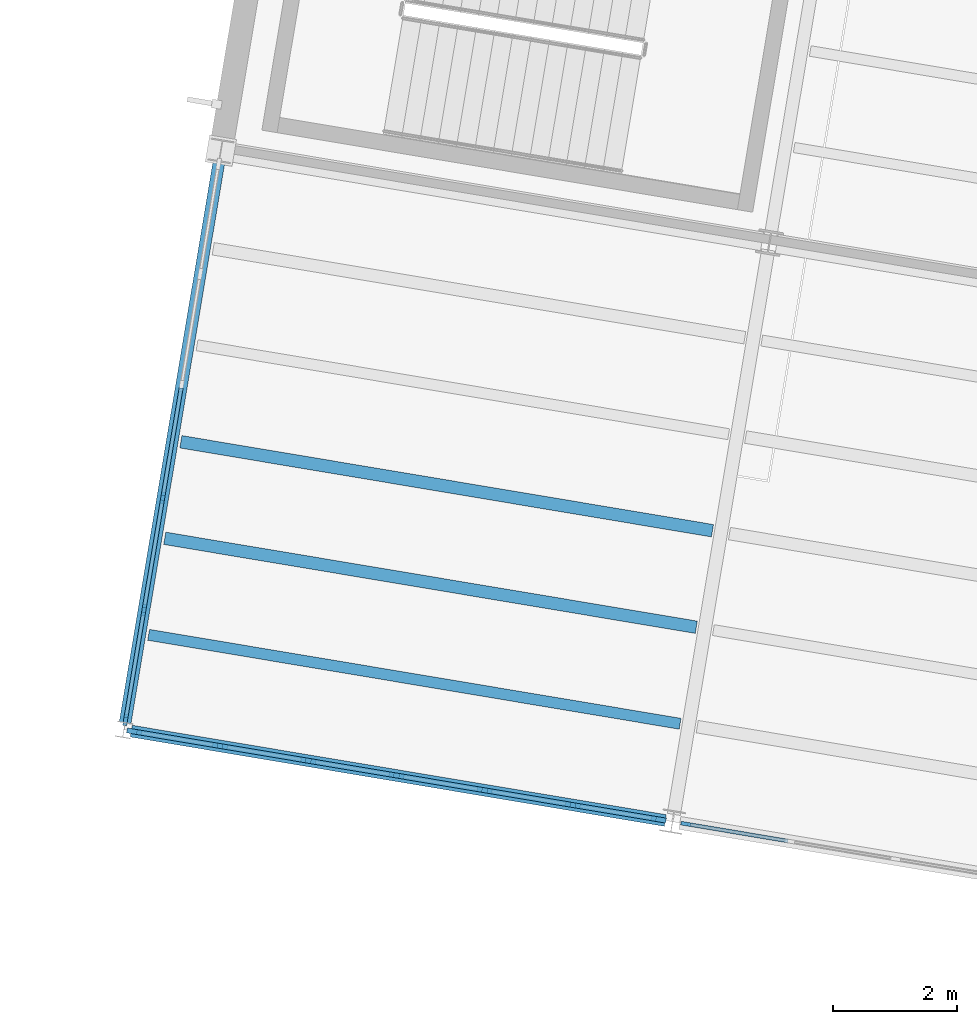
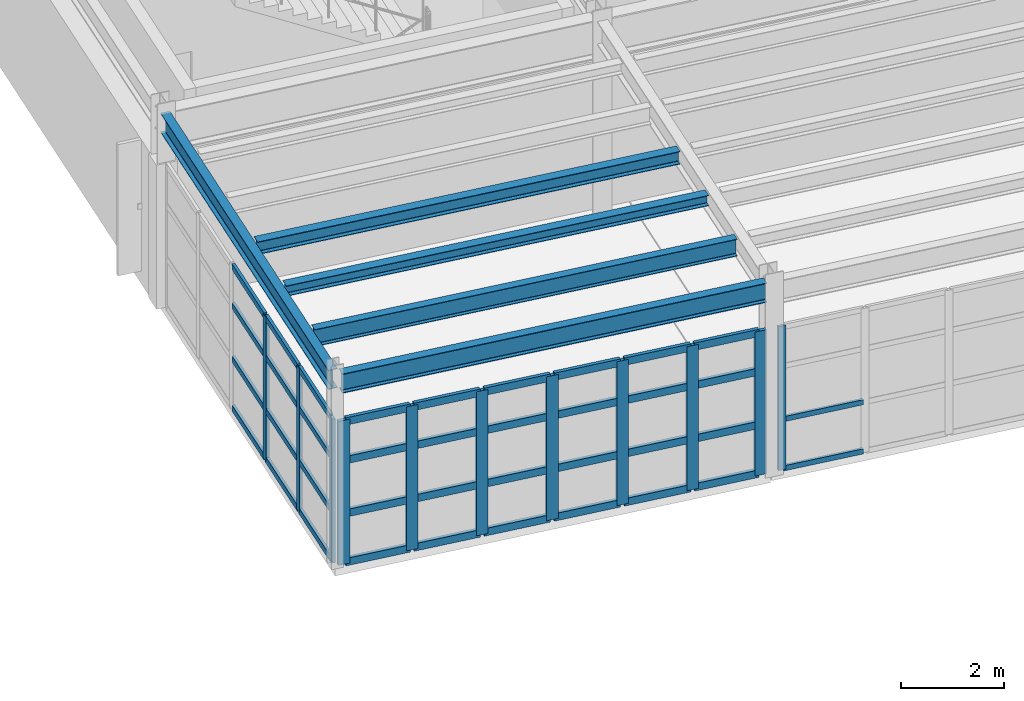
# One storey, part 39 of 109: 49 members, 5 beams, 3 elements without a shape of their own.
"""IFC4 building model written with IfcOpenShell, lengths in metres."""

from ifc_helpers import new_model, si_unit, direction, frame, origin, origin_2d, place, context, subcontext, project, spatial, rectangle, i_section, extrude, material, layer, layer_set, material_profile, profile_set, type_object, element, aggregate, save


model = new_model("IFC4")

# Units and contexts
model_context = context("Model", 3, precision=1e-05, world=origin(), true_north=direction((0.0, 1.0)))
body_context = subcontext(model_context, "Body", "Model", "MODEL_VIEW")
ifc_project = project(units=[si_unit("LENGTHUNIT", "METRE"), si_unit("AREAUNIT", "SQUARE_METRE"), si_unit("VOLUMEUNIT", "CUBIC_METRE"), si_unit("PLANEANGLEUNIT", "RADIAN"), si_unit("MASSUNIT", "GRAM", prefix="KILO")], contexts=[model_context])

# Site, building, storey
site_placement = place(None, origin())
site = spatial("IfcSite", under=ifc_project, at=site_placement, CompositionType="ELEMENT")
building_placement = place(site_placement, origin())
building = spatial("IfcBuilding", under=site, at=building_placement, Name="Vireo Bluff Cable Station", CompositionType="ELEMENT")
storey_placement = place(building_placement, frame((0.0, 0.0, 4.800048828125)))
storey = spatial("IfcBuildingStorey", under=building, at=storey_placement, Name="L01", CompositionType="ELEMENT", Elevation=4.800048828125)

# Curtain wall, members
ifc_material_1 = material(Name="Anodized Aluminium 6063-T6", Category="aluminium")
ifc_layer_1 = layer(ifc_material_1, 0.159912109375, Name="Anodized Aluminium 6063-T6")
ifc_layer_set_1 = layer_set([ifc_layer_1], Name="Anodized Aluminium 6063-T6")
curtain_wall_type_1 = type_object("IfcCurtainWallType", Name="CW-STICK-1750", PredefinedType="USERDEFINED", material=ifc_layer_set_1)
curtain_wall_1_placement = place(storey_placement, origin())
curtain_wall_1 = element("IfcCurtainWall", 1, at=curtain_wall_1_placement, inside=storey, type_object=curtain_wall_type_1, Name="V4 L01 west curtain wall CW-088", ObjectType="STICK CURTAIN WALL", PredefinedType="USERDEFINED")
ifc_material_profile_1 = material_profile(ifc_material_1, rectangle(XDim=0.06494140625, YDim=0.179931640625, at=origin_2d()), Name="ALU-M-65X180")
ifc_profile_set_1 = profile_set([ifc_material_profile_1], Name="Anodized Aluminium 6063-T6")
member_type_1 = type_object("IfcMemberType", Name="CWM-01", PredefinedType="MULLION", material=ifc_profile_set_1)
member_1_placement = place(storey_placement, frame((5.52685546875, 71.66015625, 0.0), z_axis=(0.0, 0.0, 1.0), x_axis=(-0.986285590637, 0.165047670998, 0.0)))
member_1 = element("IfcMember", 2, at=member_1_placement, type_object=member_type_1, Name="CW-088 mullion 1", PredefinedType="MULLION", context=body_context, shape_type="SweptSolid", body=[
    extrude(rectangle(XDim=0.06494140625, YDim=0.179931640625, at=origin_2d()), origin(), (0.0, 0.0, 1.0), 3.39990234375),
])
member_2_placement = place(storey_placement, frame((5.82470703125, 73.440673828125, 0.0), z_axis=(0.0, 0.0, 1.0), x_axis=(-0.986285590637, 0.165047670998, 0.0)))
member_2 = element("IfcMember", 3, at=member_2_placement, type_object=member_type_1, Name="CW-088 mullion 2", PredefinedType="MULLION", context=body_context, shape_type="SweptSolid", body=[
    extrude(rectangle(XDim=0.06494140625, YDim=0.179931640625, at=origin_2d()), origin(), (0.0, 0.0, 1.0), 3.39990234375),
])
member_3_placement = place(storey_placement, frame((6.1279296875, 75.2529296875, 0.0), z_axis=(0.0, 0.0, 1.0), x_axis=(-0.986285590637, 0.165047670998, 0.0)))
member_3 = element("IfcMember", 4, at=member_3_placement, type_object=member_type_1, Name="CW-088 mullion 3", PredefinedType="MULLION", context=body_context, shape_type="SweptSolid", body=[
    extrude(rectangle(XDim=0.06494140625, YDim=0.179931640625, at=origin_2d()), origin(), (0.0, 0.0, 1.0), 3.39990234375),
])

# Curtain wall, member
ifc_layer_2 = layer(ifc_material_1, 0.179931640625, Name="Anodized Aluminium 6063-T6")
ifc_layer_set_2 = layer_set([ifc_layer_2], Name="Anodized Aluminium 6063-T6")
curtain_wall_type_2 = type_object("IfcCurtainWallType", Name="CW-UNIT-1650", PredefinedType="USERDEFINED", material=ifc_layer_set_2)
curtain_wall_2_placement = place(storey_placement, origin())
curtain_wall_2 = element("IfcCurtainWall", 5, at=curtain_wall_2_placement, inside=storey, type_object=curtain_wall_type_2, Name="V4 L01 south curtain wall CW-086", ObjectType="UNITISED CURTAIN WALL", PredefinedType="USERDEFINED")
ifc_material_profile_2 = material_profile(ifc_material_1, rectangle(XDim=0.06005859375, YDim=0.159912109375, at=origin_2d()), Name="ALU-M-60X160")
ifc_profile_set_2 = profile_set([ifc_material_profile_2], Name="Anodized Aluminium 6063-T6")
member_type_2 = type_object("IfcMemberType", Name="CWM-03", PredefinedType="MULLION", material=ifc_profile_set_2)
member_4_placement = place(storey_placement, frame((14.590576171875, 69.978759765625, 0.0), z_axis=(0.0, 0.0, 1.0), x_axis=(-0.165047619064, -0.986285599328, 0.0)))
member_4 = element("IfcMember", 6, at=member_4_placement, type_object=member_type_2, Name="CW-086 mullion 6", PredefinedType="MULLION", context=body_context, shape_type="SweptSolid", body=[
    extrude(rectangle(XDim=0.06005859375, YDim=0.159912109375, at=origin_2d()), origin(), (0.0, 0.0, 1.0), 3.39990234375),
])

# Curtain wall, members
ifc_layer_3 = layer(ifc_material_1, 0.179931640625, Name="Anodized Aluminium 6063-T6")
ifc_layer_set_3 = layer_set([ifc_layer_3], Name="Anodized Aluminium 6063-T6")
curtain_wall_type_3 = type_object("IfcCurtainWallType", Name="CW-UNIT-1400", PredefinedType="USERDEFINED", material=ifc_layer_set_3)
curtain_wall_3_placement = place(storey_placement, origin())
curtain_wall_3 = element("IfcCurtainWall", 7, at=curtain_wall_3_placement, inside=storey, type_object=curtain_wall_type_3, Name="V4 L01 south curtain wall CW-087", ObjectType="UNITISED CURTAIN WALL", PredefinedType="USERDEFINED")
ifc_material_profile_3 = material_profile(ifc_material_1, rectangle(XDim=0.080078125, YDim=0.239990234375, at=origin_2d()), Name="ALU-M-80X240")
ifc_profile_set_3 = profile_set([ifc_material_profile_3], Name="Anodized Aluminium 6063-T6")
member_type_3 = type_object("IfcMemberType", Name="CWM-04", PredefinedType="MULLION", material=ifc_profile_set_3)
member_5_placement = place(storey_placement, frame((14.152587890625, 70.052001953125, 0.0), z_axis=(0.0, 0.0, 1.0), x_axis=(-0.165047619081, -0.986285599325, 0.0)))
member_5 = element("IfcMember", 8, at=member_5_placement, type_object=member_type_3, Name="CW-087 mullion 1", PredefinedType="MULLION", context=body_context, shape_type="SweptSolid", body=[
    extrude(rectangle(XDim=0.080078125, YDim=0.239990234375, at=origin_2d()), origin(), (0.0, 0.0, 1.0), 3.39990234375),
])
member_6_placement = place(storey_placement, frame((12.7646484375, 70.2841796875, 0.0), z_axis=(0.0, 0.0, 1.0), x_axis=(-0.165047619081, -0.986285599325, 0.0)))
member_6 = element("IfcMember", 9, at=member_6_placement, type_object=member_type_3, Name="CW-087 mullion 2", PredefinedType="MULLION", context=body_context, shape_type="SweptSolid", body=[
    extrude(rectangle(XDim=0.080078125, YDim=0.239990234375, at=origin_2d()), origin(), (0.0, 0.0, 1.0), 3.39990234375),
])
member_7_placement = place(storey_placement, frame((11.33740234375, 70.523193359375, 0.0), z_axis=(0.0, 0.0, 1.0), x_axis=(-0.165047619081, -0.986285599325, 0.0)))
member_7 = element("IfcMember", 10, at=member_7_placement, type_object=member_type_3, Name="CW-087 mullion 3", PredefinedType="MULLION", context=body_context, shape_type="SweptSolid", body=[
    extrude(rectangle(XDim=0.080078125, YDim=0.239990234375, at=origin_2d()), origin(), (0.0, 0.0, 1.0), 3.39990234375),
])
member_8_placement = place(storey_placement, frame((9.909912109375, 70.761962890625, 0.0), z_axis=(0.0, 0.0, 1.0), x_axis=(-0.165047619081, -0.986285599325, 0.0)))
member_8 = element("IfcMember", 11, at=member_8_placement, type_object=member_type_3, Name="CW-087 mullion 4", PredefinedType="MULLION", context=body_context, shape_type="SweptSolid", body=[
    extrude(rectangle(XDim=0.080078125, YDim=0.239990234375, at=origin_2d()), origin(), (0.0, 0.0, 1.0), 3.39990234375),
])
member_9_placement = place(storey_placement, frame((8.482421875, 71.0009765625, 0.0), z_axis=(0.0, 0.0, 1.0), x_axis=(-0.165047619081, -0.986285599325, 0.0)))
member_9 = element("IfcMember", 12, at=member_9_placement, type_object=member_type_3, Name="CW-087 mullion 5", PredefinedType="MULLION", context=body_context, shape_type="SweptSolid", body=[
    extrude(rectangle(XDim=0.080078125, YDim=0.239990234375, at=origin_2d()), origin(), (0.0, 0.0, 1.0), 3.39990234375),
])
member_10_placement = place(storey_placement, frame((7.05517578125, 71.23974609375, 0.0), z_axis=(0.0, 0.0, 1.0), x_axis=(-0.165047619081, -0.986285599325, 0.0)))
member_10 = element("IfcMember", 13, at=member_10_placement, type_object=member_type_3, Name="CW-087 mullion 6", PredefinedType="MULLION", context=body_context, shape_type="SweptSolid", body=[
    extrude(rectangle(XDim=0.080078125, YDim=0.239990234375, at=origin_2d()), origin(), (0.0, 0.0, 1.0), 3.39990234375),
])
member_11_placement = place(storey_placement, frame((5.667236328125, 71.471923828125, 0.0), z_axis=(0.0, 0.0, 1.0), x_axis=(-0.165047619081, -0.986285599325, 0.0)))
member_11 = element("IfcMember", 14, at=member_11_placement, type_object=member_type_3, Name="CW-087 mullion 7", PredefinedType="MULLION", context=body_context, shape_type="SweptSolid", body=[
    extrude(rectangle(XDim=0.080078125, YDim=0.239990234375, at=origin_2d()), origin(), (0.0, 0.0, 1.0), 3.39990234375),
])

# Member
ifc_material_profile_4 = material_profile(ifc_material_1, rectangle(XDim=0.06494140625, YDim=0.139892578125, at=origin_2d()), Name="ALU-T-65X140")
ifc_profile_set_4 = profile_set([ifc_material_profile_4], Name="Anodized Aluminium 6063-T6")
member_type_4 = type_object("IfcMemberType", Name="CWT-01", PredefinedType="USERDEFINED", material=ifc_profile_set_4)
member_12_placement = place(storey_placement, frame((5.5322265625, 71.6923828125, 0.032470703125), z_axis=(0.165013318296, 0.986291338695, 0.0), x_axis=(-0.986291338695, 0.165013318296, 0.0)))
member_12 = element("IfcMember", 15, at=member_12_placement, type_object=member_type_4, Name="CW-088 transom 1.1", ObjectType="TRANSOM", PredefinedType="USERDEFINED", context=body_context, shape_type="SweptSolid", body=[
    extrude(rectangle(XDim=0.06494140625, YDim=0.139892578125, at=origin_2d()), origin(), (0.0, 0.0, 1.0), 1.739990234375),
])

member_13_placement = place(storey_placement, frame((5.5322265625, 71.6923828125, 1.18994140625), z_axis=(0.165013318296, 0.986291338695, 0.0), x_axis=(-0.986291338695, 0.165013318296, 0.0)))
member_13 = element("IfcMember", 16, at=member_13_placement, type_object=member_type_4, Name="CW-088 transom 1.2", ObjectType="TRANSOM", PredefinedType="USERDEFINED", context=body_context, shape_type="SweptSolid", body=[
    extrude(rectangle(XDim=0.06494140625, YDim=0.139892578125, at=origin_2d()), origin(), (0.0, 0.0, 1.0), 1.739990234375),
])

member_14_placement = place(storey_placement, frame((5.5322265625, 71.6923828125, 2.447998046875), z_axis=(0.165013318296, 0.986291338695, 0.0), x_axis=(-0.986291338695, 0.165013318296, 0.0)))
member_14 = element("IfcMember", 17, at=member_14_placement, type_object=member_type_4, Name="CW-088 transom 1.3", ObjectType="TRANSOM", PredefinedType="USERDEFINED", context=body_context, shape_type="SweptSolid", body=[
    extrude(rectangle(XDim=0.06494140625, YDim=0.139892578125, at=origin_2d()), origin(), (0.0, 0.0, 1.0), 1.739990234375),
])

member_15_placement = place(storey_placement, frame((5.5322265625, 71.6923828125, 3.367431640625), z_axis=(0.165013318296, 0.986291338695, 0.0), x_axis=(-0.986291338695, 0.165013318296, 0.0)))
member_15 = element("IfcMember", 18, at=member_15_placement, type_object=member_type_4, Name="CW-088 transom 1.4", ObjectType="TRANSOM", PredefinedType="USERDEFINED", context=body_context, shape_type="SweptSolid", body=[
    extrude(rectangle(XDim=0.06494140625, YDim=0.139892578125, at=origin_2d()), origin(), (0.0, 0.0, 1.0), 1.739990234375),
])

member_16_placement = place(storey_placement, frame((5.830078125, 73.47265625, 0.032470703125), z_axis=(0.165001995958, 0.986293232933, 0.0), x_axis=(-0.986293232933, 0.165001995958, 0.0)))
member_16 = element("IfcMember", 19, at=member_16_placement, type_object=member_type_4, Name="CW-088 transom 2.1", ObjectType="TRANSOM", PredefinedType="USERDEFINED", context=body_context, shape_type="SweptSolid", body=[
    extrude(rectangle(XDim=0.06494140625, YDim=0.139892578125, at=origin_2d()), origin(), (0.0, 0.0, 1.0), 1.772705078125),
])

member_17_placement = place(storey_placement, frame((5.830078125, 73.47265625, 1.18994140625), z_axis=(0.165001995958, 0.986293232933, 0.0), x_axis=(-0.986293232933, 0.165001995958, 0.0)))
member_17 = element("IfcMember", 20, at=member_17_placement, type_object=member_type_4, Name="CW-088 transom 2.2", ObjectType="TRANSOM", PredefinedType="USERDEFINED", context=body_context, shape_type="SweptSolid", body=[
    extrude(rectangle(XDim=0.06494140625, YDim=0.139892578125, at=origin_2d()), origin(), (0.0, 0.0, 1.0), 1.772705078125),
])

member_18_placement = place(storey_placement, frame((5.830078125, 73.47265625, 2.447998046875), z_axis=(0.165001995958, 0.986293232933, 0.0), x_axis=(-0.986293232933, 0.165001995958, 0.0)))
member_18 = element("IfcMember", 21, at=member_18_placement, type_object=member_type_4, Name="CW-088 transom 2.3", ObjectType="TRANSOM", PredefinedType="USERDEFINED", context=body_context, shape_type="SweptSolid", body=[
    extrude(rectangle(XDim=0.06494140625, YDim=0.139892578125, at=origin_2d()), origin(), (0.0, 0.0, 1.0), 1.772705078125),
])

member_19_placement = place(storey_placement, frame((5.830078125, 73.47265625, 3.367431640625), z_axis=(0.165001995958, 0.986293232933, 0.0), x_axis=(-0.986293232933, 0.165001995958, 0.0)))
member_19 = element("IfcMember", 22, at=member_19_placement, type_object=member_type_4, Name="CW-088 transom 2.4", ObjectType="TRANSOM", PredefinedType="USERDEFINED", context=body_context, shape_type="SweptSolid", body=[
    extrude(rectangle(XDim=0.06494140625, YDim=0.139892578125, at=origin_2d()), origin(), (0.0, 0.0, 1.0), 1.772705078125),
])

member_20_placement = place(storey_placement, frame((6.13330078125, 75.28515625, 0.032470703125), z_axis=(0.165135972782, 0.986270809917, 0.0), x_axis=(-0.986270809917, 0.165135972782, 0.0)))
member_20 = element("IfcMember", 23, at=member_20_placement, type_object=member_type_4, Name="CW-088 transom 3.1", ObjectType="TRANSOM", PredefinedType="USERDEFINED", context=body_context, shape_type="SweptSolid", body=[
    extrude(rectangle(XDim=0.06494140625, YDim=0.139892578125, at=origin_2d()), origin(), (0.0, 0.0, 1.0), 1.772705078125),
])

member_21_placement = place(storey_placement, frame((6.13330078125, 75.28515625, 1.18994140625), z_axis=(0.165135972782, 0.986270809917, 0.0), x_axis=(-0.986270809917, 0.165135972782, 0.0)))
member_21 = element("IfcMember", 24, at=member_21_placement, type_object=member_type_4, Name="CW-088 transom 3.2", ObjectType="TRANSOM", PredefinedType="USERDEFINED", context=body_context, shape_type="SweptSolid", body=[
    extrude(rectangle(XDim=0.06494140625, YDim=0.139892578125, at=origin_2d()), origin(), (0.0, 0.0, 1.0), 1.772705078125),
])

member_22_placement = place(storey_placement, frame((6.13330078125, 75.28515625, 2.447998046875), z_axis=(0.165135972782, 0.986270809917, 0.0), x_axis=(-0.986270809917, 0.165135972782, 0.0)))
member_22 = element("IfcMember", 25, at=member_22_placement, type_object=member_type_4, Name="CW-088 transom 3.3", ObjectType="TRANSOM", PredefinedType="USERDEFINED", context=body_context, shape_type="SweptSolid", body=[
    extrude(rectangle(XDim=0.06494140625, YDim=0.139892578125, at=origin_2d()), origin(), (0.0, 0.0, 1.0), 1.772705078125),
])

member_23_placement = place(storey_placement, frame((6.13330078125, 75.28515625, 3.367431640625), z_axis=(0.165135972782, 0.986270809917, 0.0), x_axis=(-0.986270809917, 0.165135972782, 0.0)))
member_23 = element("IfcMember", 26, at=member_23_placement, type_object=member_type_4, Name="CW-088 transom 3.4", ObjectType="TRANSOM", PredefinedType="USERDEFINED", context=body_context, shape_type="SweptSolid", body=[
    extrude(rectangle(XDim=0.06494140625, YDim=0.139892578125, at=origin_2d()), origin(), (0.0, 0.0, 1.0), 1.772705078125),
])

aggregate(curtain_wall_1, [member_1, member_2, member_3, member_12, member_13, member_14, member_15, member_16, member_17, member_18, member_19, member_20, member_21, member_22, member_23])

ifc_material_profile_5 = material_profile(ifc_material_1, rectangle(XDim=0.06005859375, YDim=0.1201171875, at=origin_2d()), Name="ALU-T-60X120")
ifc_profile_set_5 = profile_set([ifc_material_profile_5], Name="Anodized Aluminium 6063-T6")
member_type_5 = type_object("IfcMemberType", Name="CWT-03", PredefinedType="USERDEFINED", material=ifc_profile_set_5)
member_24_placement = place(storey_placement, frame((16.244140625, 69.7021484375, 0.030029296875), z_axis=(-0.986289536274, 0.165024091081, 0.0), x_axis=(-0.165024091081, -0.986289536274, 0.0)))
member_24 = element("IfcMember", 27, at=member_24_placement, type_object=member_type_5, Name="CW-086 transom 5.1", ObjectType="TRANSOM", PredefinedType="USERDEFINED", context=body_context, shape_type="SweptSolid", body=[
    extrude(rectangle(XDim=0.06005859375, YDim=0.1201171875, at=origin_2d()), origin(), (0.0, 0.0, 1.0), 1.646484375),
])

member_25_placement = place(storey_placement, frame((16.244140625, 69.7021484375, 1.18994140625), z_axis=(-0.986289536274, 0.165024091081, 0.0), x_axis=(-0.165024091081, -0.986289536274, 0.0)))
member_25 = element("IfcMember", 28, at=member_25_placement, type_object=member_type_5, Name="CW-086 transom 5.2", ObjectType="TRANSOM", PredefinedType="USERDEFINED", context=body_context, shape_type="SweptSolid", body=[
    extrude(rectangle(XDim=0.06005859375, YDim=0.1201171875, at=origin_2d()), origin(), (0.0, 0.0, 1.0), 1.646484375),
])

aggregate(curtain_wall_2, [member_4, member_24, member_25])

ifc_material_profile_6 = material_profile(ifc_material_1, rectangle(XDim=0.080078125, YDim=0.175048828125, at=origin_2d()), Name="ALU-T-80X175")
ifc_profile_set_6 = profile_set([ifc_material_profile_6], Name="Anodized Aluminium 6063-T6")
member_type_6 = type_object("IfcMemberType", Name="CWT-04", PredefinedType="USERDEFINED", material=ifc_profile_set_6)
member_26_placement = place(storey_placement, frame((14.11328125, 70.05859375, 0.0400390625), z_axis=(-0.986294315594, 0.164995524261, 0.0), x_axis=(-0.164995524261, -0.986294315594, 0.0)))
member_26 = element("IfcMember", 29, at=member_26_placement, type_object=member_type_6, Name="CW-087 transom 1.1", ObjectType="TRANSOM", PredefinedType="USERDEFINED", context=body_context, shape_type="SweptSolid", body=[
    extrude(rectangle(XDim=0.080078125, YDim=0.175048828125, at=origin_2d()), origin(), (0.0, 0.0, 1.0), 1.327392578125),
])

member_27_placement = place(storey_placement, frame((14.11328125, 70.05859375, 1.18994140625), z_axis=(-0.986294315594, 0.164995524261, 0.0), x_axis=(-0.164995524261, -0.986294315594, 0.0)))
member_27 = element("IfcMember", 30, at=member_27_placement, type_object=member_type_6, Name="CW-087 transom 1.2", ObjectType="TRANSOM", PredefinedType="USERDEFINED", context=body_context, shape_type="SweptSolid", body=[
    extrude(rectangle(XDim=0.080078125, YDim=0.175048828125, at=origin_2d()), origin(), (0.0, 0.0, 1.0), 1.327392578125),
])

member_28_placement = place(storey_placement, frame((14.11328125, 70.05859375, 2.447998046875), z_axis=(-0.986294315594, 0.164995524261, 0.0), x_axis=(-0.164995524261, -0.986294315594, 0.0)))
member_28 = element("IfcMember", 31, at=member_28_placement, type_object=member_type_6, Name="CW-087 transom 1.3", ObjectType="TRANSOM", PredefinedType="USERDEFINED", context=body_context, shape_type="SweptSolid", body=[
    extrude(rectangle(XDim=0.080078125, YDim=0.175048828125, at=origin_2d()), origin(), (0.0, 0.0, 1.0), 1.327392578125),
])

member_29_placement = place(storey_placement, frame((14.11328125, 70.05859375, 3.35986328125), z_axis=(-0.986294315594, 0.164995524261, 0.0), x_axis=(-0.164995524261, -0.986294315594, 0.0)))
member_29 = element("IfcMember", 32, at=member_29_placement, type_object=member_type_6, Name="CW-087 transom 1.4", ObjectType="TRANSOM", PredefinedType="USERDEFINED", context=body_context, shape_type="SweptSolid", body=[
    extrude(rectangle(XDim=0.080078125, YDim=0.175048828125, at=origin_2d()), origin(), (0.0, 0.0, 1.0), 1.327392578125),
])

member_30_placement = place(storey_placement, frame((12.725341796875, 70.291015625, 0.0400390625), z_axis=(-0.986297241611, 0.164978032449, 0.0), x_axis=(-0.164978032449, -0.986297241611, 0.0)))
member_30 = element("IfcMember", 33, at=member_30_placement, type_object=member_type_6, Name="CW-087 transom 2.1", ObjectType="TRANSOM", PredefinedType="USERDEFINED", context=body_context, shape_type="SweptSolid", body=[
    extrude(rectangle(XDim=0.080078125, YDim=0.175048828125, at=origin_2d()), origin(), (0.0, 0.0, 1.0), 1.367431640625),
])

member_31_placement = place(storey_placement, frame((12.725341796875, 70.291015625, 1.18994140625), z_axis=(-0.986297241611, 0.164978032449, 0.0), x_axis=(-0.164978032449, -0.986297241611, 0.0)))
member_31 = element("IfcMember", 34, at=member_31_placement, type_object=member_type_6, Name="CW-087 transom 2.2", ObjectType="TRANSOM", PredefinedType="USERDEFINED", context=body_context, shape_type="SweptSolid", body=[
    extrude(rectangle(XDim=0.080078125, YDim=0.175048828125, at=origin_2d()), origin(), (0.0, 0.0, 1.0), 1.367431640625),
])

member_32_placement = place(storey_placement, frame((12.725341796875, 70.291015625, 2.447998046875), z_axis=(-0.986297241611, 0.164978032449, 0.0), x_axis=(-0.164978032449, -0.986297241611, 0.0)))
member_32 = element("IfcMember", 35, at=member_32_placement, type_object=member_type_6, Name="CW-087 transom 2.3", ObjectType="TRANSOM", PredefinedType="USERDEFINED", context=body_context, shape_type="SweptSolid", body=[
    extrude(rectangle(XDim=0.080078125, YDim=0.175048828125, at=origin_2d()), origin(), (0.0, 0.0, 1.0), 1.367431640625),
])

member_33_placement = place(storey_placement, frame((12.725341796875, 70.291015625, 3.35986328125), z_axis=(-0.986297241611, 0.164978032449, 0.0), x_axis=(-0.164978032449, -0.986297241611, 0.0)))
member_33 = element("IfcMember", 36, at=member_33_placement, type_object=member_type_6, Name="CW-087 transom 2.4", ObjectType="TRANSOM", PredefinedType="USERDEFINED", context=body_context, shape_type="SweptSolid", body=[
    extrude(rectangle(XDim=0.080078125, YDim=0.175048828125, at=origin_2d()), origin(), (0.0, 0.0, 1.0), 1.367431640625),
])

member_34_placement = place(storey_placement, frame((11.2978515625, 70.52978515625, 0.0400390625), z_axis=(-0.986292380661, 0.165007090301, 0.0), x_axis=(-0.165007090301, -0.986292380661, 0.0)))
member_34 = element("IfcMember", 37, at=member_34_placement, type_object=member_type_6, Name="CW-087 transom 3.1", ObjectType="TRANSOM", PredefinedType="USERDEFINED", context=body_context, shape_type="SweptSolid", body=[
    extrude(rectangle(XDim=0.080078125, YDim=0.175048828125, at=origin_2d()), origin(), (0.0, 0.0, 1.0), 1.3671875),
])

member_35_placement = place(storey_placement, frame((11.2978515625, 70.52978515625, 1.18994140625), z_axis=(-0.986292380661, 0.165007090301, 0.0), x_axis=(-0.165007090301, -0.986292380661, 0.0)))
member_35 = element("IfcMember", 38, at=member_35_placement, type_object=member_type_6, Name="CW-087 transom 3.2", ObjectType="TRANSOM", PredefinedType="USERDEFINED", context=body_context, shape_type="SweptSolid", body=[
    extrude(rectangle(XDim=0.080078125, YDim=0.175048828125, at=origin_2d()), origin(), (0.0, 0.0, 1.0), 1.3671875),
])

member_36_placement = place(storey_placement, frame((11.2978515625, 70.52978515625, 2.447998046875), z_axis=(-0.986292380661, 0.165007090301, 0.0), x_axis=(-0.165007090301, -0.986292380661, 0.0)))
member_36 = element("IfcMember", 39, at=member_36_placement, type_object=member_type_6, Name="CW-087 transom 3.3", ObjectType="TRANSOM", PredefinedType="USERDEFINED", context=body_context, shape_type="SweptSolid", body=[
    extrude(rectangle(XDim=0.080078125, YDim=0.175048828125, at=origin_2d()), origin(), (0.0, 0.0, 1.0), 1.3671875),
])

member_37_placement = place(storey_placement, frame((11.2978515625, 70.52978515625, 3.35986328125), z_axis=(-0.986292380661, 0.165007090301, 0.0), x_axis=(-0.165007090301, -0.986292380661, 0.0)))
member_37 = element("IfcMember", 40, at=member_37_placement, type_object=member_type_6, Name="CW-087 transom 3.4", ObjectType="TRANSOM", PredefinedType="USERDEFINED", context=body_context, shape_type="SweptSolid", body=[
    extrude(rectangle(XDim=0.080078125, YDim=0.175048828125, at=origin_2d()), origin(), (0.0, 0.0, 1.0), 1.3671875),
])

member_38_placement = place(storey_placement, frame((9.870361328125, 70.7685546875, 0.0400390625), z_axis=(-0.986263303322, 0.165180799488, 0.0), x_axis=(-0.165180799488, -0.986263303322, 0.0)))
member_38 = element("IfcMember", 41, at=member_38_placement, type_object=member_type_6, Name="CW-087 transom 4.1", ObjectType="TRANSOM", PredefinedType="USERDEFINED", context=body_context, shape_type="SweptSolid", body=[
    extrude(rectangle(XDim=0.080078125, YDim=0.175048828125, at=origin_2d()), origin(), (0.0, 0.0, 1.0), 1.3671875),
])

member_39_placement = place(storey_placement, frame((9.870361328125, 70.7685546875, 1.18994140625), z_axis=(-0.986263303322, 0.165180799488, 0.0), x_axis=(-0.165180799488, -0.986263303322, 0.0)))
member_39 = element("IfcMember", 42, at=member_39_placement, type_object=member_type_6, Name="CW-087 transom 4.2", ObjectType="TRANSOM", PredefinedType="USERDEFINED", context=body_context, shape_type="SweptSolid", body=[
    extrude(rectangle(XDim=0.080078125, YDim=0.175048828125, at=origin_2d()), origin(), (0.0, 0.0, 1.0), 1.3671875),
])

member_40_placement = place(storey_placement, frame((9.870361328125, 70.7685546875, 2.447998046875), z_axis=(-0.986263303322, 0.165180799488, 0.0), x_axis=(-0.165180799488, -0.986263303322, 0.0)))
member_40 = element("IfcMember", 43, at=member_40_placement, type_object=member_type_6, Name="CW-087 transom 4.3", ObjectType="TRANSOM", PredefinedType="USERDEFINED", context=body_context, shape_type="SweptSolid", body=[
    extrude(rectangle(XDim=0.080078125, YDim=0.175048828125, at=origin_2d()), origin(), (0.0, 0.0, 1.0), 1.3671875),
])

member_41_placement = place(storey_placement, frame((9.870361328125, 70.7685546875, 3.35986328125), z_axis=(-0.986263303322, 0.165180799488, 0.0), x_axis=(-0.165180799488, -0.986263303322, 0.0)))
member_41 = element("IfcMember", 44, at=member_41_placement, type_object=member_type_6, Name="CW-087 transom 4.4", ObjectType="TRANSOM", PredefinedType="USERDEFINED", context=body_context, shape_type="SweptSolid", body=[
    extrude(rectangle(XDim=0.080078125, YDim=0.175048828125, at=origin_2d()), origin(), (0.0, 0.0, 1.0), 1.3671875),
])

member_42_placement = place(storey_placement, frame((8.443115234375, 71.007568359375, 0.0400390625), z_axis=(-0.986297241611, 0.164978032449, 0.0), x_axis=(-0.164978032449, -0.986297241611, 0.0)))
member_42 = element("IfcMember", 45, at=member_42_placement, type_object=member_type_6, Name="CW-087 transom 5.1", ObjectType="TRANSOM", PredefinedType="USERDEFINED", context=body_context, shape_type="SweptSolid", body=[
    extrude(rectangle(XDim=0.080078125, YDim=0.175048828125, at=origin_2d()), origin(), (0.0, 0.0, 1.0), 1.367431640625),
])

member_43_placement = place(storey_placement, frame((8.443115234375, 71.007568359375, 1.18994140625), z_axis=(-0.986297241611, 0.164978032449, 0.0), x_axis=(-0.164978032449, -0.986297241611, 0.0)))
member_43 = element("IfcMember", 46, at=member_43_placement, type_object=member_type_6, Name="CW-087 transom 5.2", ObjectType="TRANSOM", PredefinedType="USERDEFINED", context=body_context, shape_type="SweptSolid", body=[
    extrude(rectangle(XDim=0.080078125, YDim=0.175048828125, at=origin_2d()), origin(), (0.0, 0.0, 1.0), 1.367431640625),
])

member_44_placement = place(storey_placement, frame((8.443115234375, 71.007568359375, 2.447998046875), z_axis=(-0.986297241611, 0.164978032449, 0.0), x_axis=(-0.164978032449, -0.986297241611, 0.0)))
member_44 = element("IfcMember", 47, at=member_44_placement, type_object=member_type_6, Name="CW-087 transom 5.3", ObjectType="TRANSOM", PredefinedType="USERDEFINED", context=body_context, shape_type="SweptSolid", body=[
    extrude(rectangle(XDim=0.080078125, YDim=0.175048828125, at=origin_2d()), origin(), (0.0, 0.0, 1.0), 1.367431640625),
])

member_45_placement = place(storey_placement, frame((8.443115234375, 71.007568359375, 3.35986328125), z_axis=(-0.986297241611, 0.164978032449, 0.0), x_axis=(-0.164978032449, -0.986297241611, 0.0)))
member_45 = element("IfcMember", 48, at=member_45_placement, type_object=member_type_6, Name="CW-087 transom 5.4", ObjectType="TRANSOM", PredefinedType="USERDEFINED", context=body_context, shape_type="SweptSolid", body=[
    extrude(rectangle(XDim=0.080078125, YDim=0.175048828125, at=origin_2d()), origin(), (0.0, 0.0, 1.0), 1.367431640625),
])

member_46_placement = place(storey_placement, frame((7.015625, 71.246337890625, 0.0400390625), z_axis=(-0.986294315594, 0.164995524261, 0.0), x_axis=(-0.164995524261, -0.986294315594, 0.0)))
member_46 = element("IfcMember", 49, at=member_46_placement, type_object=member_type_6, Name="CW-087 transom 6.1", ObjectType="TRANSOM", PredefinedType="USERDEFINED", context=body_context, shape_type="SweptSolid", body=[
    extrude(rectangle(XDim=0.080078125, YDim=0.175048828125, at=origin_2d()), origin(), (0.0, 0.0, 1.0), 1.327392578125),
])

member_47_placement = place(storey_placement, frame((7.015625, 71.246337890625, 1.18994140625), z_axis=(-0.986294315594, 0.164995524261, 0.0), x_axis=(-0.164995524261, -0.986294315594, 0.0)))
member_47 = element("IfcMember", 50, at=member_47_placement, type_object=member_type_6, Name="CW-087 transom 6.2", ObjectType="TRANSOM", PredefinedType="USERDEFINED", context=body_context, shape_type="SweptSolid", body=[
    extrude(rectangle(XDim=0.080078125, YDim=0.175048828125, at=origin_2d()), origin(), (0.0, 0.0, 1.0), 1.327392578125),
])

member_48_placement = place(storey_placement, frame((7.015625, 71.246337890625, 2.447998046875), z_axis=(-0.986294315594, 0.164995524261, 0.0), x_axis=(-0.164995524261, -0.986294315594, 0.0)))
member_48 = element("IfcMember", 51, at=member_48_placement, type_object=member_type_6, Name="CW-087 transom 6.3", ObjectType="TRANSOM", PredefinedType="USERDEFINED", context=body_context, shape_type="SweptSolid", body=[
    extrude(rectangle(XDim=0.080078125, YDim=0.175048828125, at=origin_2d()), origin(), (0.0, 0.0, 1.0), 1.327392578125),
])

member_49_placement = place(storey_placement, frame((7.015625, 71.246337890625, 3.35986328125), z_axis=(-0.986294315594, 0.164995524261, 0.0), x_axis=(-0.164995524261, -0.986294315594, 0.0)))
member_49 = element("IfcMember", 52, at=member_49_placement, type_object=member_type_6, Name="CW-087 transom 6.4", ObjectType="TRANSOM", PredefinedType="USERDEFINED", context=body_context, shape_type="SweptSolid", body=[
    extrude(rectangle(XDim=0.080078125, YDim=0.175048828125, at=origin_2d()), origin(), (0.0, 0.0, 1.0), 1.327392578125),
])

aggregate(curtain_wall_3, [member_5, member_6, member_7, member_8, member_9, member_10, member_11, member_26, member_27, member_28, member_29, member_30, member_31, member_32, member_33, member_34, member_35, member_36, member_37, member_38, member_39, member_40, member_41, member_42, member_43, member_44, member_45, member_46, member_47, member_48, member_49])

# Beams
ifc_material_2 = material(Name="Steel ASTM A992 Gr. 50", Category="steel")
ifc_material_profile_7 = material_profile(ifc_material_2, i_section(OverallWidth=0.201904296875, OverallDepth=0.2470703125, WebThickness=0.00732421875, FlangeThickness=0.010986328125, FilletRadius=0.009033203125, at=origin_2d()), Name="W10X33")
ifc_profile_set_7 = profile_set([ifc_material_profile_7], Name="Steel ASTM A992 Gr. 50")
beam_type_1 = type_object("IfcBeamType", Name="JST-W10X33", PredefinedType="JOIST", material=ifc_profile_set_7)
beam_1_placement = place(storey_placement, frame((6.16064453125, 74.60009765625, 4.41650390625), z_axis=(0.986286264339, -0.165043645063, 0.0), x_axis=(0.165043645063, 0.986286264339, 0.0)))
element("IfcBeam", 53, at=beam_1_placement, inside=storey, type_object=beam_type_1, Name="V4 L01 composite joist 911", PredefinedType="JOIST", context=body_context, shape_type="SweptSolid", body=[
    extrude(i_section(OverallWidth=0.201904296875, OverallDepth=0.2470703125, WebThickness=0.00732421875, FlangeThickness=0.010986328125, FilletRadius=0.009033203125, at=origin_2d()), origin(), (0.0, 0.0, 1.0), 8.72021484375),
])
ifc_material_profile_8 = material_profile(ifc_material_2, i_section(OverallWidth=0.202880859375, OverallDepth=0.302978515625, WebThickness=0.007568359375, FlangeThickness=0.01318359375, FilletRadius=0.010009765625, at=origin_2d()), Name="W12X40")
ifc_profile_set_8 = profile_set([ifc_material_profile_8], Name="Steel ASTM A992 Gr. 50")
beam_type_2 = type_object("IfcBeamType", Name="JST-W12X40", PredefinedType="JOIST", material=ifc_profile_set_8)
beam_2_placement = place(storey_placement, frame((6.422119140625, 76.161865234375, 4.388427734375), z_axis=(0.98628550168, -0.165048202583, 0.0), x_axis=(0.165048202583, 0.98628550168, 0.0)))
element("IfcBeam", 54, at=beam_2_placement, inside=storey, type_object=beam_type_2, Name="V4 L01 composite joist 912", PredefinedType="JOIST", context=body_context, shape_type="SweptSolid", body=[
    extrude(i_section(OverallWidth=0.202880859375, OverallDepth=0.302978515625, WebThickness=0.007568359375, FlangeThickness=0.01318359375, FilletRadius=0.010009765625, at=origin_2d()), origin(), (0.0, 0.0, 1.0), 8.719970703125),
])
ifc_material_profile_9 = material_profile(ifc_material_2, i_section(OverallWidth=0.177978515625, OverallDepth=0.404052734375, WebThickness=0.007568359375, FlangeThickness=0.010986328125, FilletRadius=0.010009765625, at=origin_2d()), Name="W16X36")
ifc_profile_set_9 = profile_set([ifc_material_profile_9], Name="Steel ASTM A992 Gr. 50")
beam_type_3 = type_object("IfcBeamType", Name="JST-W16X36", PredefinedType="JOIST", material=ifc_profile_set_9)
beam_3_placement = place(storey_placement, frame((5.8994140625, 73.03857421875, 4.337890625), z_axis=(0.98628550168, -0.165048202583, 0.0), x_axis=(0.165048202583, 0.98628550168, 0.0)))
element("IfcBeam", 55, at=beam_3_placement, inside=storey, type_object=beam_type_3, Name="V4 L01 composite joist 910", PredefinedType="JOIST", context=body_context, shape_type="SweptSolid", body=[
    extrude(i_section(OverallWidth=0.177978515625, OverallDepth=0.404052734375, WebThickness=0.007568359375, FlangeThickness=0.010986328125, FilletRadius=0.010009765625, at=origin_2d()), origin(), (0.0, 0.0, 1.0), 8.719970703125),
])
ifc_material_profile_10 = material_profile(ifc_material_2, i_section(OverallWidth=0.19091796875, OverallDepth=0.45703125, WebThickness=0.009033203125, FlangeThickness=0.014404296875, FilletRadius=0.011962890625, at=origin_2d()), Name="W18X50")
ifc_profile_set_10 = profile_set([ifc_material_profile_10], Name="Steel ASTM A992 Gr. 50")
beam_type_4 = type_object("IfcBeamType", Name="SPN-W18X50", PredefinedType="SPANDREL", material=ifc_profile_set_10)
beam_4_placement = place(storey_placement, frame((5.618408203125, 71.480224609375, 4.3115234375), z_axis=(0.986285998922, -0.165045231163, 0.0), x_axis=(0.165045231163, 0.986285998922, 0.0)))
element("IfcBeam", 56, at=beam_4_placement, inside=storey, type_object=beam_type_4, Name="V4 L01 spandrel 872", PredefinedType="SPANDREL", context=body_context, shape_type="SweptSolid", body=[
    extrude(i_section(OverallWidth=0.19091796875, OverallDepth=0.45703125, WebThickness=0.009033203125, FlangeThickness=0.014404296875, FilletRadius=0.011962890625, at=origin_2d()), origin(), (0.0, 0.0, 1.0), 8.760009765625),
])
beam_5_placement = place(storey_placement, frame((5.519775390625, 71.618408203125, 4.3115234375), z_axis=(0.165044536891, 0.986286115102, 0.0), x_axis=(-0.986286115102, 0.165044536891, 0.0)))
element("IfcBeam", 57, at=beam_5_placement, inside=storey, type_object=beam_type_4, Name="V4 L01 spandrel 892", PredefinedType="SPANDREL", context=body_context, shape_type="SweptSolid", body=[
    extrude(i_section(OverallWidth=0.19091796875, OverallDepth=0.45703125, WebThickness=0.009033203125, FlangeThickness=0.014404296875, FilletRadius=0.011962890625, at=origin_2d()), origin(), (0.0, 0.0, 1.0), 9.260009765625),
])

save(model, "model.ifc")
